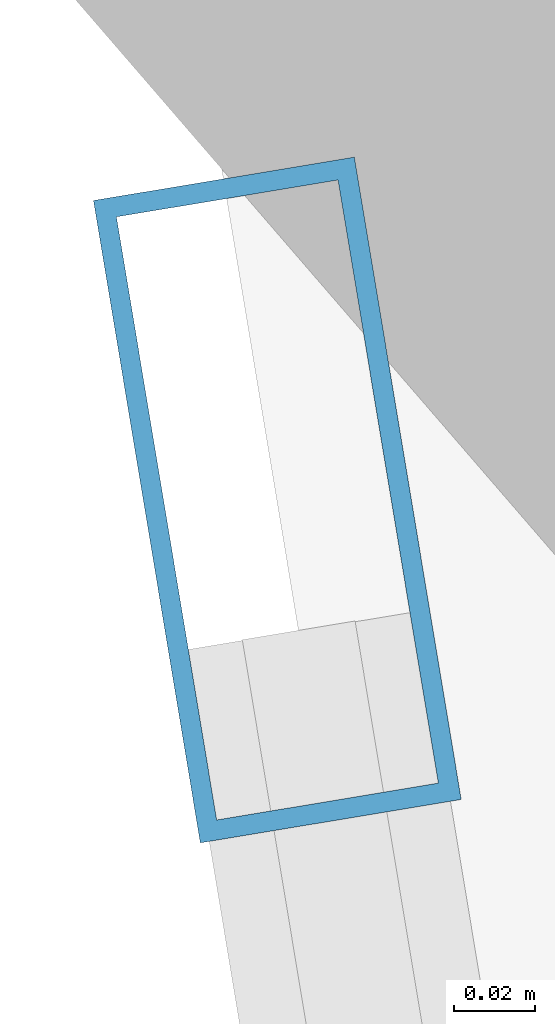
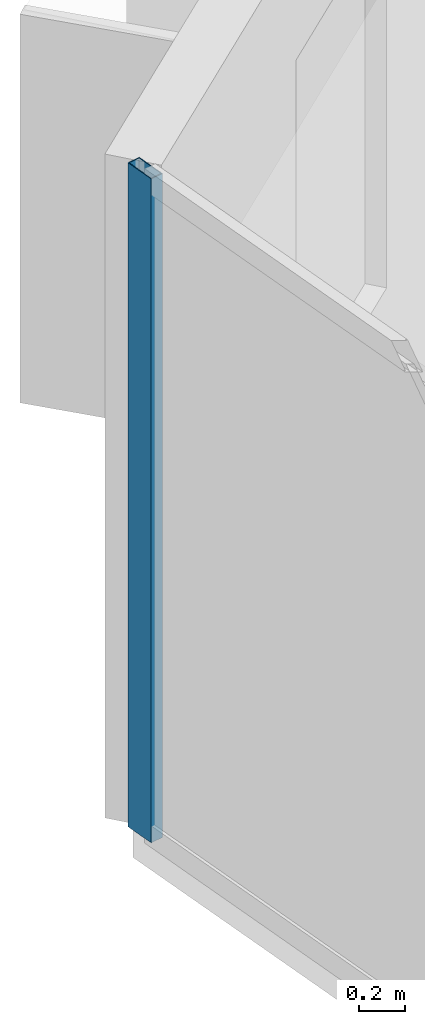
# One storey, part 9 of 21: 1 member, 1 element without a shape of its own.
"""IFC4 building model written with IfcOpenShell, lengths in metres."""

from ifc_helpers import new_model, si_unit, direction, frame, origin, origin_2d, place, context, subcontext, project, spatial, hollow_rectangle, extrude, material, layer, layer_set, material_profile, profile_set, type_object, element, aggregate, save


model = new_model("IFC4")

# Units and contexts
model_context = context("Model", 3, precision=1e-05, world=origin(), true_north=direction((0.0, 1.0)))
body_context = subcontext(model_context, "Body", "Model", "MODEL_VIEW")
ifc_project = project(units=[si_unit("LENGTHUNIT", "METRE"), si_unit("AREAUNIT", "SQUARE_METRE"), si_unit("VOLUMEUNIT", "CUBIC_METRE"), si_unit("PLANEANGLEUNIT", "RADIAN"), si_unit("MASSUNIT", "GRAM", prefix="KILO")], contexts=[model_context])

# Site, building, storey
site_placement = place(None, origin())
site = spatial("IfcSite", under=ifc_project, at=site_placement, CompositionType="ELEMENT")
building_placement = place(site_placement, origin())
building = spatial("IfcBuilding", under=site, at=building_placement, Name="Qianvela Tower", CompositionType="ELEMENT")
storey_placement = place(building_placement, frame((0.0, 0.0, 189.199951171875)))
storey = spatial("IfcBuildingStorey", under=building, at=storey_placement, Name="L48", CompositionType="ELEMENT", Elevation=189.199951171875)

# Curtain wall, member
ifc_material_1 = material(Name="Anodised Architectural Aluminium and Low-E Glass", Category="aluminium")
ifc_layer = layer(ifc_material_1, 0.159912109375)
ifc_layer_set = layer_set([ifc_layer], Name="Anodised Architectural Aluminium and Low-E Glass")
curtain_wall_type = type_object("IfcCurtainWallType", Name="CW-COLIV-Z56", PredefinedType="USERDEFINED", material=ifc_layer_set)
curtain_wall_placement = place(storey_placement, origin())
curtain_wall = element("IfcCurtainWall", 1, at=curtain_wall_placement, inside=storey, type_object=curtain_wall_type, Name="L48 CW-COLIV-Z56 Curtain Wall 04A", ObjectType="CURTAIN_WALL_SYSTEM", PredefinedType="USERDEFINED")
ifc_material_2 = material(Name="Anodised Architectural Aluminium 6063-T6", Category="aluminium")
ifc_material_profile = material_profile(ifc_material_2, hollow_rectangle(XDim=0.06494140625, YDim=0.159912109375, WallThickness=0.0048828125, at=origin_2d()), Name="ALU-MULL-65x160")
ifc_profile_set = profile_set([ifc_material_profile], Name="Anodised Architectural Aluminium 6063-T6")
member_type = type_object("IfcMemberType", Name="CW-COLIV-Z56-MULL", PredefinedType="MULLION", material=ifc_profile_set)
member_placement = place(storey_placement, frame((20.2236328125, 36.079833984375, 0.0), z_axis=(0.0, 0.0, 1.0), x_axis=(0.986457410298, 0.164017613898, 0.0)))
member = element("IfcMember", 2, at=member_placement, type_object=member_type, Name="CW-5 mullion 1", PredefinedType="MULLION", context=body_context, shape_type="SweptSolid", body=[
    extrude(hollow_rectangle(XDim=0.06494140625, YDim=0.159912109375, WallThickness=0.0048828125, at=origin_2d()), origin(), (0.0, 0.0, 1.0), 3.52001953125),
])
aggregate(curtain_wall, [member])

save(model, "model.ifc")
